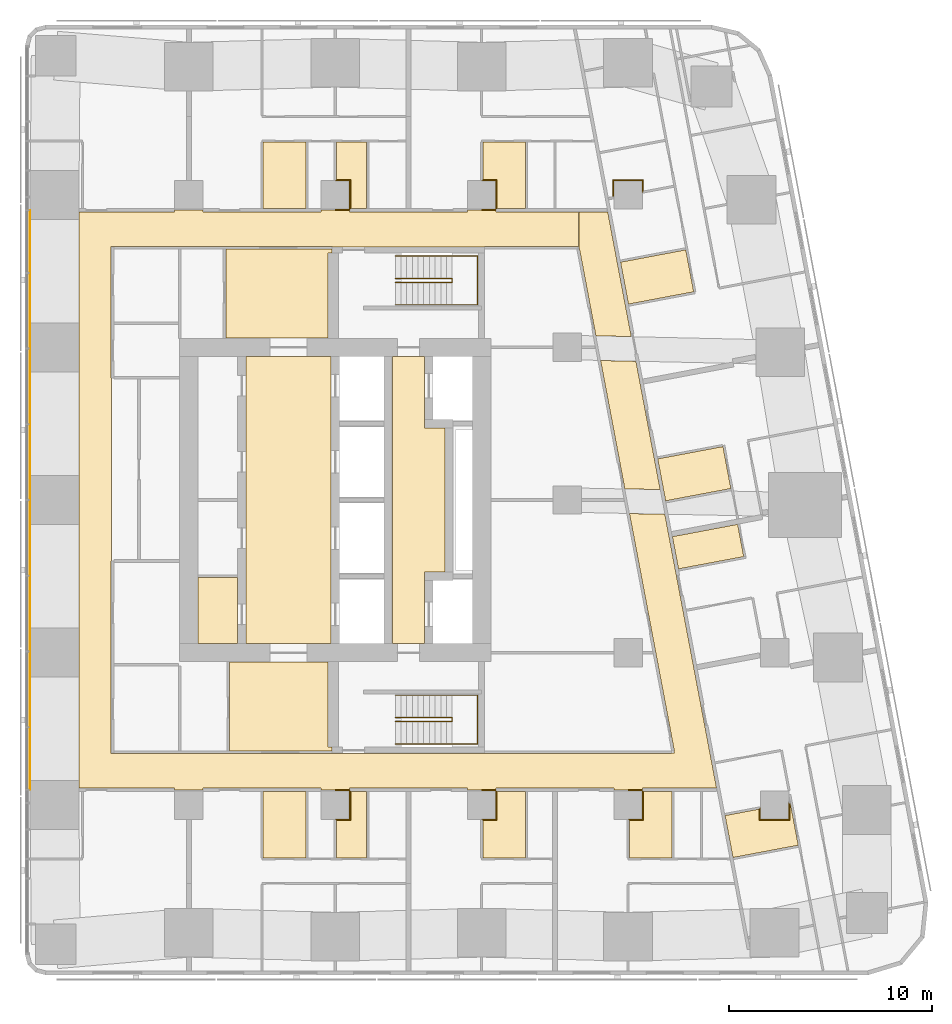
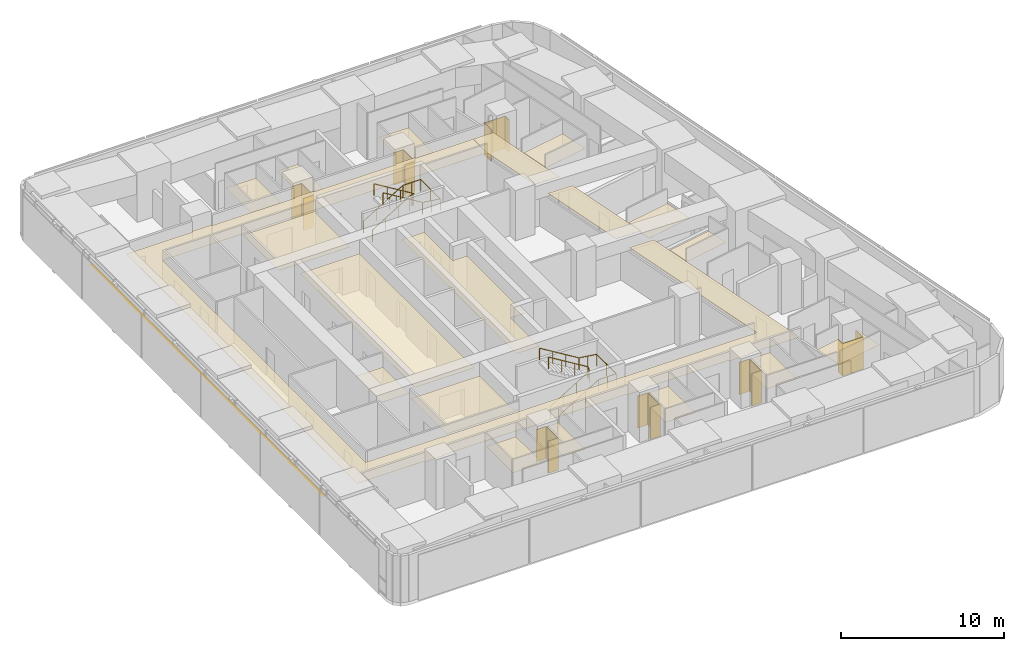
# One storey, part 19 of 19: 27 coverings, 4 railings.
"""IFC4 building model written with IfcOpenShell, lengths in metres."""

import ifcopenshell
import ifcopenshell.guid

model = None  # the IFC model being written
_history = None  # IfcOwnerHistory: only IFC2X3 demands one
_inside = {}  # id of a spatial element -> (the spatial element, [elements in it])
_under = {}  # id of a project, library or spatial element -> (it, [spatial elements below it])
_declared = {}  # id of a project -> (the project, [libraries it declares])
_typed = {}  # id of a type object -> (the type object, [elements of that type])
_made_of = {}  # id of a material, layer set ... -> (it, [elements and type objects made of it])


def new_model(schema):
    """Start an empty IFC model of exactly this schema.

    Asked for "IFC4X3", IfcOpenShell would pick the latest addendum, in which some entities
    have other attributes; the version numbers below select the first issue.
    IFC2X3 requires an IfcOwnerHistory on every rooted entity: one is made here for all.
    """
    global model, _history
    if schema == "IFC4X3":
        model = ifcopenshell.file(schema_version=(4, 3, 0, 0))
    else:
        model = ifcopenshell.file(schema=schema)
    _inside.clear()
    _under.clear()
    _declared.clear()
    _typed.clear()
    _made_of.clear()
    _history = None
    if model.schema == "IFC2X3":
        org = make("IfcOrganization", Name="unknown")
        user = make(
            "IfcPersonAndOrganization",
            ThePerson=make("IfcPerson", FamilyName="unknown"),
            TheOrganization=org,
        )
        app = make(
            "IfcApplication",
            ApplicationDeveloper=org,
            Version="unknown",
            ApplicationFullName="unknown",
            ApplicationIdentifier="unknown",
        )
        _history = make(
            "IfcOwnerHistory",
            OwningUser=user,
            OwningApplication=app,
            ChangeAction="ADDED",
            CreationDate=0,
        )
    return model


def make(cls, **values):
    """One entity of the class cls with the attributes given. An attribute that is None is left unset."""
    return model.create_entity(
        cls, **{name: value for name, value in values.items() if value is not None}
    )


def rooted(cls, **values):
    """An entity with a GlobalId (a new one), such as an element, a storey or a relation."""
    return make(cls, GlobalId=ifcopenshell.guid.new(), OwnerHistory=_history, **values)


def si_unit(unit_type, name, prefix=None):
    """IfcSIUnit, for example si_unit("LENGTHUNIT", "METRE", prefix="MILLI")."""
    return make("IfcSIUnit", UnitType=unit_type, Prefix=prefix, Name=name)


def assignment(units):
    """IfcUnitAssignment: the units of a project."""
    return None if units is None else make("IfcUnitAssignment", Units=units)


def point(xyz):
    """IfcCartesianPoint."""
    return None if xyz is None else make("IfcCartesianPoint", Coordinates=xyz)


def direction(xyz):
    """IfcDirection."""
    return None if xyz is None else make("IfcDirection", DirectionRatios=xyz)


def frame(location, z_axis=None, x_axis=None):
    """IfcAxis2Placement3D, a coordinate frame: its origin and axes. An axis left out is left unset."""
    return make(
        "IfcAxis2Placement3D",
        Location=point(location),
        Axis=direction(z_axis),
        RefDirection=direction(x_axis),
    )


def frame_2d(location, x_axis=None):
    """IfcAxis2Placement2D, a coordinate frame in the plane: its origin and x axis."""
    return make(
        "IfcAxis2Placement2D", Location=point(location), RefDirection=direction(x_axis)
    )


def origin():
    """The frame at (0, 0, 0) with its axes left unset."""
    return frame((0.0, 0.0, 0.0))


def origin_2d():
    """The frame at (0, 0) in the plane with its x axis left unset."""
    return frame_2d((0.0, 0.0))


def place(relative_to, where):
    """IfcLocalPlacement: puts the frame where relative to a parent placement (None: the world)."""
    return make(
        "IfcLocalPlacement", PlacementRelTo=relative_to, RelativePlacement=where
    )


def context(
    kind, dimensions, precision=None, world=None, true_north=None, identifier=None
):
    """IfcGeometricRepresentationContext, for example the 3D "Model" context."""
    return make(
        "IfcGeometricRepresentationContext",
        ContextIdentifier=identifier,
        ContextType=kind,
        CoordinateSpaceDimension=dimensions,
        Precision=precision,
        WorldCoordinateSystem=world,
        TrueNorth=true_north,
    )


def subcontext(parent, identifier, kind, view, scale=None):
    """IfcGeometricRepresentationSubContext, for example "Body" below "Model"."""
    return make(
        "IfcGeometricRepresentationSubContext",
        ContextIdentifier=identifier,
        ContextType=kind,
        ParentContext=parent,
        TargetScale=scale,
        TargetView=view,
    )


def project(units=None, contexts=None):
    """IfcProject with its units and contexts."""
    return rooted(
        "IfcProject",
        Name="project",
        RepresentationContexts=contexts,
        UnitsInContext=assignment(units),
    )


def spatial(cls, under=None, at=None, **own):
    """A site, building, storey or space (cls), placed at a placement, below another one or the project."""
    s = rooted(cls, ObjectPlacement=at, **own)
    if under is not None:
        _under.setdefault(under.id(), (under, []))[1].append(s)
    return s


def polyline(points):
    """IfcPolyline through the points."""
    return make("IfcPolyline", Points=[point(p) for p in points])


def profile(cls, at=None, kind="AREA", **sizes):
    """A parametric profile (cls). Its sizes go by their IFC names, for example OverallWidth=200.0."""
    return make(cls, ProfileType=kind, Position=at, **sizes)


def circle(**sizes):
    """IfcCircleProfileDef."""
    return profile("IfcCircleProfileDef", **sizes)


def outline(outer, holes=None, kind="AREA"):
    """IfcArbitraryClosedProfileDef: a profile drawn as a closed curve; with holes, ...WithVoids."""
    if holes is None:
        return make("IfcArbitraryClosedProfileDef", ProfileType=kind, OuterCurve=outer)
    return make(
        "IfcArbitraryProfileDefWithVoids",
        ProfileType=kind,
        OuterCurve=outer,
        InnerCurves=holes,
    )


def extrude(swept, where, along, depth):
    """IfcExtrudedAreaSolid: the profile swept, set in the frame where, extruded along a direction by depth."""
    return make(
        "IfcExtrudedAreaSolid",
        SweptArea=swept,
        Position=where,
        ExtrudedDirection=direction(along),
        Depth=depth,
    )


def shape(context_of_items, identifier, shape_type, items):
    """IfcShapeRepresentation: the items that make up one representation, for example the "Body"."""
    return make(
        "IfcShapeRepresentation",
        ContextOfItems=context_of_items,
        RepresentationIdentifier=identifier,
        RepresentationType=shape_type,
        Items=items,
    )


def material(Name=None, Category=None):
    """IfcMaterial."""
    return make("IfcMaterial", Name=Name, Category=Category)


def layer(
    of_material, thickness, ventilated=None, Name=None, Category=None, Priority=None
):
    """IfcMaterialLayer: one layer of a wall or slab, of a material (None: an air gap)."""
    return make(
        "IfcMaterialLayer",
        Material=of_material,
        LayerThickness=thickness,
        IsVentilated=ventilated,
        Name=Name,
        Category=Category,
        Priority=Priority,
    )


def layer_set(layers, Name=None):
    """IfcMaterialLayerSet."""
    return make("IfcMaterialLayerSet", MaterialLayers=layers, LayerSetName=Name)


def made_of(thing, what):
    """Note that an element or type object is made of a material, layer set ...; save() writes the relation."""
    if what is not None:
        _made_of.setdefault(what.id(), (what, []))[1].append(thing)
    return thing


def type_object(cls, material=None, **own):
    """A type object (cls), such as IfcWallType, which elements share."""
    return made_of(rooted(cls, **own), material)


def element(
    cls,
    number,
    at=None,
    inside=None,
    cuts=None,
    type_object=None,
    material=None,
    context=None,
    identifier="Body",
    shape_type=None,
    held_by="IfcProductDefinitionShape",
    body=None,
    shapes=None,
    **own,
):
    """One element of the class cls, such as IfcWall. Its Tag is "e" and its number.

    at: its placement. inside: the storey or other place that contains it. cuts: it is an
    opening in that element (IfcRelVoidsElement). A single representation is given by context,
    identifier, shape_type and body (its items); several are given by shapes. held_by: the class
    of the entity that holds the representations. save() writes the other relations.
    """
    e = rooted(cls, Tag="e%d" % number, ObjectPlacement=at, **own)
    if body is not None:
        shapes = [shape(context, identifier, shape_type, body)]
    if shapes is not None:
        e.Representation = make(held_by, Representations=shapes)
    if inside is not None:
        _inside.setdefault(inside.id(), (inside, []))[1].append(e)
    if cuts is not None:
        rooted(
            "IfcRelVoidsElement", RelatingBuildingElement=cuts, RelatedOpeningElement=e
        )
    if type_object is not None:
        _typed.setdefault(type_object.id(), (type_object, []))[1].append(e)
    return made_of(e, material)


def aggregate(whole, parts):
    """IfcRelAggregates: a whole, such as a stair, and the parts it consists of."""
    return rooted("IfcRelAggregates", RelatingObject=whole, RelatedObjects=parts)


def save(model, path):
    """Write the relations noted so far, then the file.

    IfcRelAggregates (storeys below a building ...), IfcRelContainedInSpatialStructure (elements
    in a storey), IfcRelDefinesByType, IfcRelAssociatesMaterial and IfcRelDeclares: one each for
    every whole, place, type object, material and project.
    """
    for whole, parts in _under.values():
        aggregate(whole, parts)
    for where, things in _inside.values():
        rooted(
            "IfcRelContainedInSpatialStructure",
            RelatedElements=things,
            RelatingStructure=where,
        )
    for kind, things in _typed.values():
        rooted("IfcRelDefinesByType", RelatedObjects=things, RelatingType=kind)
    for what, things in _made_of.values():
        rooted("IfcRelAssociatesMaterial", RelatedObjects=things, RelatingMaterial=what)
    for by, libraries in _declared.values():
        rooted("IfcRelDeclares", RelatingContext=by, RelatedDefinitions=libraries)
    model.write(path)


model = new_model("IFC4")

# Units and contexts
model_context = context("Model", 3, precision=1e-05, world=origin(), true_north=direction((0.0, 1.0)))
body_context = subcontext(model_context, "Body", "Model", "MODEL_VIEW")
ifc_project = project(units=[si_unit("LENGTHUNIT", "METRE"), si_unit("AREAUNIT", "SQUARE_METRE"), si_unit("VOLUMEUNIT", "CUBIC_METRE"), si_unit("PLANEANGLEUNIT", "RADIAN"), si_unit("MASSUNIT", "GRAM", prefix="KILO")], contexts=[model_context])

# Site, building, storey
site_placement = place(None, origin())
site = spatial("IfcSite", under=ifc_project, at=site_placement, CompositionType="ELEMENT")
building_placement = place(site_placement, origin())
building = spatial("IfcBuilding", under=site, at=building_placement, Name="Sheger Commons Tower", CompositionType="ELEMENT")
storey_placement = place(building_placement, frame((0.0, 0.0, 219.949951171875)))
storey = spatial("IfcBuildingStorey", under=building, at=storey_placement, Name="L56", CompositionType="ELEMENT", Elevation=219.949951171875)

# Railings
ifc_material_1 = material(Name="Steel handrail, black powder-coated", Category="steel")
railing_type = type_object("IfcRailingType", Name="HANDRAIL 900", PredefinedType="HANDRAIL", material=ifc_material_1)
railing_1_placement = place(storey_placement, frame((24.550048828125, 11.60009765625, 0.17041015625)))
element("IfcRailing", 1, at=railing_1_placement, inside=storey, type_object=railing_type, Name="Stair S1 handrail L56", PredefinedType="HANDRAIL", context=body_context, shape_type="SweptSolid", body=[
    extrude(circle(Radius=0.02392578125, at=origin_2d()), frame((0.0, 0.0, 0.8759765625), z_axis=(0.854169791009, 0.0, 0.51999420009), x_axis=(0.0, 1.0, 0.0)), (0.0, 0.0, 1.0), 3.278076171875),
    extrude(circle(Radius=0.02392578125, at=origin_2d()), frame((2.800048828125, 0.0, 2.58056640625), z_axis=(0.0, 0.761090297175, 0.648645943136), x_axis=(-1.0, 0.0, 0.0)), (0.0, 0.0, 1.0), 0.2626953125),
    extrude(circle(Radius=0.02392578125, at=origin_2d()), frame((2.800048828125, 0.199951171875, 2.7509765625), z_axis=(-0.854169791009, 0.0, 0.51999420009), x_axis=(0.0, -1.0, 0.0)), (0.0, 0.0, 1.0), 3.278076171875),
    extrude(circle(Radius=0.02099609375, at=origin_2d()), origin(), (0.0, 0.0, 1.0), 0.851806640625),
    extrude(circle(Radius=0.02099609375, at=origin_2d()), frame((0.933349609375, 0.0, 0.568115234375)), (0.0, 0.0, 1.0), 0.851806640625),
    extrude(circle(Radius=0.02099609375, at=origin_2d()), frame((1.86669921875, 0.0, 1.136474609375)), (0.0, 0.0, 1.0), 0.851806640625),
    extrude(circle(Radius=0.02099609375, at=origin_2d()), frame((2.800048828125, 0.0, 1.70458984375)), (0.0, 0.0, 1.0), 0.851806640625),
    extrude(circle(Radius=0.02099609375, at=origin_2d()), frame((2.800048828125, 0.199951171875, 1.875)), (0.0, 0.0, 1.0), 0.851806640625),
    extrude(circle(Radius=0.02099609375, at=origin_2d()), frame((1.86669921875, 0.199951171875, 2.443115234375)), (0.0, 0.0, 1.0), 0.851806640625),
    extrude(circle(Radius=0.02099609375, at=origin_2d()), frame((0.933349609375, 0.199951171875, 3.011474609375)), (0.0, 0.0, 1.0), 0.851806640625),
    extrude(circle(Radius=0.02099609375, at=origin_2d()), frame((0.0, 0.199951171875, 3.57958984375)), (0.0, 0.0, 1.0), 0.851806640625),
])
railing_2_placement = place(storey_placement, frame((24.550048828125, 10.5, 0.17041015625)))
element("IfcRailing", 2, at=railing_2_placement, inside=storey, type_object=railing_type, Name="Stair S1 handrail L56", PredefinedType="HANDRAIL", context=body_context, shape_type="SweptSolid", body=[
    extrude(circle(Radius=0.02392578125, at=origin_2d()), frame((0.0, 0.0, 0.8759765625), z_axis=(0.854169791009, 0.0, 0.51999420009), x_axis=(0.0, 1.0, 0.0)), (0.0, 0.0, 1.0), 3.278076171875),
    extrude(circle(Radius=0.02392578125, at=origin_2d()), frame((2.800048828125, 0.0, 2.58056640625), z_axis=(1.0, 0.0, 0.0), x_axis=(0.0, 1.0, 0.0)), (0.0, 0.0, 1.0), 1.25),
    extrude(circle(Radius=0.02392578125, at=origin_2d()), frame((4.050048828125, 0.0, 2.58056640625), z_axis=(0.0, 1.0, 0.0), x_axis=(-1.0, 0.0, 0.0)), (0.0, 0.0, 1.0), 2.39990234375),
    extrude(circle(Radius=0.02392578125, at=origin_2d()), frame((4.050048828125, 2.39990234375, 2.58056640625), z_axis=(-0.990834877927, 0.0, 0.135078661092), x_axis=(0.0, -1.0, 0.0)), (0.0, 0.0, 1.0), 1.261474609375),
    extrude(circle(Radius=0.02392578125, at=origin_2d()), frame((2.800048828125, 2.39990234375, 2.7509765625), z_axis=(-0.854169791009, 0.0, 0.51999420009), x_axis=(0.0, -1.0, 0.0)), (0.0, 0.0, 1.0), 3.278076171875),
    extrude(circle(Radius=0.02099609375, at=origin_2d()), origin(), (0.0, 0.0, 1.0), 0.851806640625),
    extrude(circle(Radius=0.02099609375, at=origin_2d()), frame((0.933349609375, 0.0, 0.568115234375)), (0.0, 0.0, 1.0), 0.851806640625),
    extrude(circle(Radius=0.02099609375, at=origin_2d()), frame((1.86669921875, 0.0, 1.136474609375)), (0.0, 0.0, 1.0), 0.851806640625),
    extrude(circle(Radius=0.02099609375, at=origin_2d()), frame((2.800048828125, 0.0, 1.70458984375)), (0.0, 0.0, 1.0), 0.851806640625),
    extrude(circle(Radius=0.02099609375, at=origin_2d()), frame((3.425048828125, 0.0, 1.70458984375)), (0.0, 0.0, 1.0), 0.851806640625),
    extrude(circle(Radius=0.02099609375, at=origin_2d()), frame((4.050048828125, 0.0, 1.70458984375)), (0.0, 0.0, 1.0), 0.851806640625),
    extrude(circle(Radius=0.02099609375, at=origin_2d()), frame((4.050048828125, 1.199951171875, 1.70458984375)), (0.0, 0.0, 1.0), 0.851806640625),
    extrude(circle(Radius=0.02099609375, at=origin_2d()), frame((4.050048828125, 2.39990234375, 1.70458984375)), (0.0, 0.0, 1.0), 0.851806640625),
    extrude(circle(Radius=0.02099609375, at=origin_2d()), frame((3.425048828125, 2.39990234375, 1.789794921875)), (0.0, 0.0, 1.0), 0.851806640625),
    extrude(circle(Radius=0.02099609375, at=origin_2d()), frame((2.800048828125, 2.39990234375, 1.875)), (0.0, 0.0, 1.0), 0.851806640625),
    extrude(circle(Radius=0.02099609375, at=origin_2d()), frame((1.86669921875, 2.39990234375, 2.443115234375)), (0.0, 0.0, 1.0), 0.851806640625),
    extrude(circle(Radius=0.02099609375, at=origin_2d()), frame((0.933349609375, 2.39990234375, 3.011474609375)), (0.0, 0.0, 1.0), 0.851806640625),
    extrude(circle(Radius=0.02099609375, at=origin_2d()), frame((0.0, 2.39990234375, 3.57958984375)), (0.0, 0.0, 1.0), 0.851806640625),
])
railing_3_placement = place(storey_placement, frame((24.550048828125, 33.39990234375, 0.17041015625)))
element("IfcRailing", 3, at=railing_3_placement, inside=storey, type_object=railing_type, Name="Stair S2 handrail L56", PredefinedType="HANDRAIL", context=body_context, shape_type="SweptSolid", body=[
    extrude(circle(Radius=0.02392578125, at=origin_2d()), frame((0.0, 0.0, 0.8759765625), z_axis=(0.854169791009, 0.0, 0.51999420009), x_axis=(0.0, 1.0, 0.0)), (0.0, 0.0, 1.0), 3.278076171875),
    extrude(circle(Radius=0.02392578125, at=origin_2d()), frame((2.800048828125, 0.0, 2.58056640625), z_axis=(0.0, -0.761090297175, 0.648645943136), x_axis=(1.0, 0.0, 0.0)), (0.0, 0.0, 1.0), 0.2626953125),
    extrude(circle(Radius=0.02392578125, at=origin_2d()), frame((2.800048828125, -0.199951171875, 2.7509765625), z_axis=(-0.854169791009, 0.0, 0.51999420009), x_axis=(0.0, -1.0, 0.0)), (0.0, 0.0, 1.0), 3.278076171875),
    extrude(circle(Radius=0.02099609375, at=origin_2d()), origin(), (0.0, 0.0, 1.0), 0.851806640625),
    extrude(circle(Radius=0.02099609375, at=origin_2d()), frame((0.933349609375, 0.0, 0.568115234375)), (0.0, 0.0, 1.0), 0.851806640625),
    extrude(circle(Radius=0.02099609375, at=origin_2d()), frame((1.86669921875, 0.0, 1.136474609375)), (0.0, 0.0, 1.0), 0.851806640625),
    extrude(circle(Radius=0.02099609375, at=origin_2d()), frame((2.800048828125, 0.0, 1.70458984375)), (0.0, 0.0, 1.0), 0.851806640625),
    extrude(circle(Radius=0.02099609375, at=origin_2d()), frame((2.800048828125, -0.199951171875, 1.875)), (0.0, 0.0, 1.0), 0.851806640625),
    extrude(circle(Radius=0.02099609375, at=origin_2d()), frame((1.86669921875, -0.199951171875, 2.443115234375)), (0.0, 0.0, 1.0), 0.851806640625),
    extrude(circle(Radius=0.02099609375, at=origin_2d()), frame((0.933349609375, -0.199951171875, 3.011474609375)), (0.0, 0.0, 1.0), 0.851806640625),
    extrude(circle(Radius=0.02099609375, at=origin_2d()), frame((0.0, -0.199951171875, 3.57958984375)), (0.0, 0.0, 1.0), 0.851806640625),
])
railing_4_placement = place(storey_placement, frame((24.550048828125, 34.5, 0.17041015625)))
element("IfcRailing", 4, at=railing_4_placement, inside=storey, type_object=railing_type, Name="Stair S2 handrail L56", PredefinedType="HANDRAIL", context=body_context, shape_type="SweptSolid", body=[
    extrude(circle(Radius=0.02392578125, at=origin_2d()), frame((0.0, 0.0, 0.8759765625), z_axis=(0.854169791009, 0.0, 0.51999420009), x_axis=(0.0, 1.0, 0.0)), (0.0, 0.0, 1.0), 3.278076171875),
    extrude(circle(Radius=0.02392578125, at=origin_2d()), frame((2.800048828125, 0.0, 2.58056640625), z_axis=(1.0, 0.0, 0.0), x_axis=(0.0, 1.0, 0.0)), (0.0, 0.0, 1.0), 1.25),
    extrude(circle(Radius=0.02392578125, at=origin_2d()), frame((4.050048828125, 0.0, 2.58056640625), z_axis=(0.0, -1.0, 0.0), x_axis=(1.0, 0.0, 0.0)), (0.0, 0.0, 1.0), 2.39990234375),
    extrude(circle(Radius=0.02392578125, at=origin_2d()), frame((4.050048828125, -2.39990234375, 2.58056640625), z_axis=(-0.990834877927, 0.0, 0.135078661092), x_axis=(0.0, -1.0, 0.0)), (0.0, 0.0, 1.0), 1.261474609375),
    extrude(circle(Radius=0.02392578125, at=origin_2d()), frame((2.800048828125, -2.39990234375, 2.7509765625), z_axis=(-0.854169791009, 0.0, 0.51999420009), x_axis=(0.0, -1.0, 0.0)), (0.0, 0.0, 1.0), 3.278076171875),
    extrude(circle(Radius=0.02099609375, at=origin_2d()), origin(), (0.0, 0.0, 1.0), 0.851806640625),
    extrude(circle(Radius=0.02099609375, at=origin_2d()), frame((0.933349609375, 0.0, 0.568115234375)), (0.0, 0.0, 1.0), 0.851806640625),
    extrude(circle(Radius=0.02099609375, at=origin_2d()), frame((1.86669921875, 0.0, 1.136474609375)), (0.0, 0.0, 1.0), 0.851806640625),
    extrude(circle(Radius=0.02099609375, at=origin_2d()), frame((2.800048828125, 0.0, 1.70458984375)), (0.0, 0.0, 1.0), 0.851806640625),
    extrude(circle(Radius=0.02099609375, at=origin_2d()), frame((3.425048828125, 0.0, 1.70458984375)), (0.0, 0.0, 1.0), 0.851806640625),
    extrude(circle(Radius=0.02099609375, at=origin_2d()), frame((4.050048828125, 0.0, 1.70458984375)), (0.0, 0.0, 1.0), 0.851806640625),
    extrude(circle(Radius=0.02099609375, at=origin_2d()), frame((4.050048828125, -1.199951171875, 1.70458984375)), (0.0, 0.0, 1.0), 0.851806640625),
    extrude(circle(Radius=0.02099609375, at=origin_2d()), frame((4.050048828125, -2.39990234375, 1.70458984375)), (0.0, 0.0, 1.0), 0.851806640625),
    extrude(circle(Radius=0.02099609375, at=origin_2d()), frame((3.425048828125, -2.39990234375, 1.789794921875)), (0.0, 0.0, 1.0), 0.851806640625),
    extrude(circle(Radius=0.02099609375, at=origin_2d()), frame((2.800048828125, -2.39990234375, 1.875)), (0.0, 0.0, 1.0), 0.851806640625),
    extrude(circle(Radius=0.02099609375, at=origin_2d()), frame((1.86669921875, -2.39990234375, 2.443115234375)), (0.0, 0.0, 1.0), 0.851806640625),
    extrude(circle(Radius=0.02099609375, at=origin_2d()), frame((0.933349609375, -2.39990234375, 3.011474609375)), (0.0, 0.0, 1.0), 0.851806640625),
    extrude(circle(Radius=0.02099609375, at=origin_2d()), frame((0.0, -2.39990234375, 3.57958984375)), (0.0, 0.0, 1.0), 0.851806640625),
])

# Coverings
ifc_material_2 = material(Name="Moisture-resistant gypsum plasterboard 15 mm on a suspended galvanised steel grid", Category="steel")
ifc_layer_1 = layer(ifc_material_2, 0.014892578125)
ifc_layer_set_1 = layer_set([ifc_layer_1], Name="MOISTURE-RESISTANT CEILING 15")
covering_type_1 = type_object("IfcCoveringType", Name="MOISTURE-RESISTANT CEILING 15", PredefinedType="CEILING", material=ifc_layer_set_1)
covering_1_placement = place(storey_placement, frame((0.0, 0.0, 2.400146484375)))
element("IfcCovering", 5, at=covering_1_placement, inside=storey, type_object=covering_type_1, Name="L56-02.B1 ceiling", PredefinedType="CEILING", context=body_context, shape_type="SweptSolid", body=[
    extrude(outline(polyline([(18.054931640625, 4.905029296875), (20.155029296875, 4.905029296875), (20.155029296875, 8.169921875), (18.054931640625, 8.169921875), (18.054931640625, 4.905029296875)])), origin(), (0.0, 0.0, 1.0), 0.014892578125),
])
covering_2_placement = place(storey_placement, frame((0.0, 0.0, 2.400146484375)))
element("IfcCovering", 6, at=covering_2_placement, inside=storey, type_object=covering_type_1, Name="L56-02.B2 ceiling", PredefinedType="CEILING", context=body_context, shape_type="SweptSolid", body=[
    extrude(outline(polyline([(21.655029296875, 4.905029296875), (23.14501953125, 4.905029296875), (23.14501953125, 8.169921875), (22.304931640625, 8.169921875), (22.304931640625, 6.794921875), (21.655029296875, 6.794921875), (21.655029296875, 4.905029296875)])), origin(), (0.0, 0.0, 1.0), 0.014892578125),
])
covering_3_placement = place(storey_placement, frame((0.0, 0.0, 2.400146484375)))
element("IfcCovering", 7, at=covering_3_placement, inside=storey, type_object=covering_type_1, Name="L56-03.B1 ceiling", PredefinedType="CEILING", context=body_context, shape_type="SweptSolid", body=[
    extrude(outline(polyline([(28.85498046875, 4.905029296875), (30.955078125, 4.905029296875), (30.955078125, 8.169921875), (29.5048828125, 8.169921875), (29.5048828125, 6.794921875), (28.85498046875, 6.794921875), (28.85498046875, 4.905029296875)])), origin(), (0.0, 0.0, 1.0), 0.014892578125),
])
covering_4_placement = place(storey_placement, frame((0.0, 0.0, 2.400146484375)))
element("IfcCovering", 8, at=covering_4_placement, inside=storey, type_object=covering_type_1, Name="L56-04.B1 ceiling", PredefinedType="CEILING", context=body_context, shape_type="SweptSolid", body=[
    extrude(outline(polyline([(36.054931640625, 4.905029296875), (38.155029296875, 4.905029296875), (38.155029296875, 8.169921875), (36.705078125, 8.169921875), (36.705078125, 6.794921875), (36.054931640625, 6.794921875), (36.054931640625, 4.905029296875)])), origin(), (0.0, 0.0, 1.0), 0.014892578125),
])
covering_5_placement = place(storey_placement, frame((0.0, 0.0, 2.400146484375)))
element("IfcCovering", 9, at=covering_5_placement, inside=storey, type_object=covering_type_1, Name="L56-05.B1 ceiling", PredefinedType="CEILING", context=body_context, shape_type="SweptSolid", body=[
    extrude(outline(polyline([(36.01708984375, 32.1298828125), (39.22412109375, 32.736083984375), (38.833984375, 34.800048828125), (35.626953125, 34.194091796875), (36.01708984375, 32.1298828125)])), origin(), (0.0, 0.0, 1.0), 0.014892578125),
])
covering_6_placement = place(storey_placement, frame((0.0, 0.0, 2.400146484375)))
element("IfcCovering", 10, at=covering_6_placement, inside=storey, type_object=covering_type_1, Name="L56-06.B1 ceiling", PredefinedType="CEILING", context=body_context, shape_type="SweptSolid", body=[
    extrude(outline(polyline([(37.843017578125, 22.4580078125), (41.052001953125, 23.06396484375), (40.662109375, 25.1279296875), (37.4541015625, 24.52197265625), (37.843017578125, 22.4580078125)])), origin(), (0.0, 0.0, 1.0), 0.014892578125),
])
covering_7_placement = place(storey_placement, frame((0.0, 0.0, 2.400146484375)))
element("IfcCovering", 11, at=covering_7_placement, inside=storey, type_object=covering_type_1, Name="L56-07.B1 ceiling", PredefinedType="CEILING", context=body_context, shape_type="SweptSolid", body=[
    extrude(outline(polyline([(38.47607421875, 19.111083984375), (41.68408203125, 19.716064453125), (41.384033203125, 21.303955078125), (38.176025390625, 20.697998046875), (38.47607421875, 19.111083984375)])), origin(), (0.0, 0.0, 1.0), 0.014892578125),
])
covering_8_placement = place(storey_placement, frame((0.0, 0.0, 2.400146484375)))
element("IfcCovering", 12, at=covering_8_placement, inside=storey, type_object=covering_type_1, Name="L56-08.B1 ceiling", PredefinedType="CEILING", context=body_context, shape_type="SweptSolid", body=[
    extrude(outline(polyline([(41.156005859375, 4.9208984375), (44.364013671875, 5.527099609375), (43.97412109375, 7.591064453125), (43.9150390625, 7.580078125), (43.906982421875, 7.623046875), (43.905029296875, 7.623046875), (43.905029296875, 6.794921875), (42.4951171875, 6.794921875), (42.4951171875, 7.31201171875), (40.76611328125, 6.985107421875), (41.156005859375, 4.9208984375)])), origin(), (0.0, 0.0, 1.0), 0.014892578125),
])
covering_9_placement = place(storey_placement, frame((0.0, 0.0, 2.400146484375)))
element("IfcCovering", 13, at=covering_9_placement, inside=storey, type_object=covering_type_1, Name="L56-10.B1 ceiling", PredefinedType="CEILING", context=body_context, shape_type="SweptSolid", body=[
    extrude(outline(polyline([(18.054931640625, 36.830078125), (20.155029296875, 36.830078125), (20.155029296875, 40.094970703125), (18.054931640625, 40.094970703125), (18.054931640625, 36.830078125)])), origin(), (0.0, 0.0, 1.0), 0.014892578125),
])
covering_10_placement = place(storey_placement, frame((0.0, 0.0, 2.400146484375)))
element("IfcCovering", 14, at=covering_10_placement, inside=storey, type_object=covering_type_1, Name="L56-10.B2 ceiling", PredefinedType="CEILING", context=body_context, shape_type="SweptSolid", body=[
    extrude(outline(polyline([(22.304931640625, 36.830078125), (23.14501953125, 36.830078125), (23.14501953125, 40.094970703125), (21.655029296875, 40.094970703125), (21.655029296875, 38.205078125), (22.304931640625, 38.205078125), (22.304931640625, 36.830078125)])), origin(), (0.0, 0.0, 1.0), 0.014892578125),
])
covering_11_placement = place(storey_placement, frame((0.0, 0.0, 2.400146484375)))
element("IfcCovering", 15, at=covering_11_placement, inside=storey, type_object=covering_type_1, Name="L56-11.B1 ceiling", PredefinedType="CEILING", context=body_context, shape_type="SweptSolid", body=[
    extrude(outline(polyline([(29.5048828125, 36.830078125), (30.955078125, 36.830078125), (30.955078125, 40.094970703125), (28.85498046875, 40.094970703125), (28.85498046875, 38.205078125), (29.5048828125, 38.205078125), (29.5048828125, 36.830078125)])), origin(), (0.0, 0.0, 1.0), 0.014892578125),
])
covering_12_placement = place(storey_placement, frame((0.0, 0.0, 2.400146484375)))
element("IfcCovering", 16, at=covering_12_placement, inside=storey, type_object=covering_type_1, Name="L56-CRB1 ceiling", PredefinedType="CEILING", context=body_context, shape_type="SweptSolid", body=[
    extrude(outline(polyline([(14.85498046875, 15.455078125), (16.794921875, 15.455078125), (16.794921875, 18.68310546875), (14.85498046875, 18.68310546875), (14.85498046875, 15.455078125)])), origin(), (0.0, 0.0, 1.0), 0.014892578125),
])
ifc_material_3 = material(Name="Gypsum plasterboard 15 mm on a suspended steel grid", Category="steel")
ifc_layer_2 = layer(ifc_material_3, 0.014892578125)
ifc_layer_set_2 = layer_set([ifc_layer_2], Name="SUSPENDED CEILING 15")
covering_type_2 = type_object("IfcCoveringType", Name="SUSPENDED CEILING 15", PredefinedType="CEILING", material=ifc_layer_set_2)
covering_13_placement = place(storey_placement, frame((0.0, 0.0, 2.699951171875)))
element("IfcCovering", 17, at=covering_13_placement, inside=storey, type_object=covering_type_2, Name="L56-CO ceiling", PredefinedType="CEILING", context=body_context, shape_type="SweptSolid", body=[
    extrude(outline(polyline([(6.554931640625, 8.25), (6.594970703125, 8.25), (6.594970703125, 36.75), (6.554931640625, 36.75), (6.554931640625, 8.25)])), origin(), (0.0, 0.0, 1.0), 0.01513671875),
])
covering_14_placement = place(storey_placement, frame((0.0, 0.0, 2.699951171875)))
element("IfcCovering", 18, at=covering_14_placement, inside=storey, type_object=covering_type_2, Name="L56-CO ceiling", PredefinedType="CEILING", context=body_context, shape_type="SweptSolid", body=[
    extrude(outline(polyline([(13.7041015625, 8.25), (15.095947265625, 8.25), (15.095947265625, 8.330078125), (20.904052734375, 8.330078125), (20.904052734375, 8.25), (22.2958984375, 8.25), (22.2958984375, 8.330078125), (28.10400390625, 8.330078125), (28.10400390625, 8.25), (29.49609375, 8.25), (29.49609375, 8.330078125), (35.303955078125, 8.330078125), (35.303955078125, 8.25), (36.696044921875, 8.25), (36.696044921875, 8.330078125), (40.34912109375, 8.330078125), (37.804931640625, 21.798095703125), (36.06591796875, 21.8330078125), (38.26904296875, 10.1708984375), (38.251953125, 10.1669921875), (38.27392578125, 10.050048828125), (38.14306640625, 10.050048828125), (38.14306640625, 10.031982421875), (28.945068359375, 10.031982421875), (28.945068359375, 10.044921875), (21.455078125, 10.044921875), (21.455078125, 10.031982421875), (10.7080078125, 10.031982421875), (10.7080078125, 10.044921875), (10.58203125, 10.044921875), (10.58203125, 19.5048828125), (10.60009765625, 19.5048828125), (10.60009765625, 28.4951171875), (10.58203125, 28.4951171875), (10.58203125, 34.955078125), (10.7080078125, 34.955078125), (10.7080078125, 34.968017578125), (21.455078125, 34.968017578125), (21.455078125, 34.949951171875), (28.945068359375, 34.949951171875), (28.945068359375, 34.968017578125), (33.54296875, 34.968017578125), (33.54296875, 34.949951171875), (33.568115234375, 34.949951171875), (33.568115234375, 36.669921875), (29.49609375, 36.669921875), (29.49609375, 36.75), (28.10400390625, 36.75), (28.10400390625, 36.669921875), (22.2958984375, 36.669921875), (22.2958984375, 36.75), (20.904052734375, 36.75), (20.904052734375, 36.669921875), (15.095947265625, 36.669921875), (15.095947265625, 36.75), (13.7041015625, 36.75), (13.7041015625, 36.669921875), (9.0048828125, 36.669921875), (9.0048828125, 8.330078125), (13.7041015625, 8.330078125), (13.7041015625, 8.25)])), origin(), (0.0, 0.0, 1.0), 0.01513671875),
])
covering_15_placement = place(storey_placement, frame((0.0, 0.0, 2.699951171875)))
element("IfcCovering", 19, at=covering_15_placement, inside=storey, type_object=covering_type_2, Name="L56-CO ceiling", PredefinedType="CEILING", context=body_context, shape_type="SweptSolid", body=[
    extrude(outline(polyline([(37.575927734375, 23.011962890625), (36.385009765625, 29.318115234375), (34.64501953125, 29.35791015625), (35.8369140625, 23.048095703125), (37.575927734375, 23.011962890625)])), origin(), (0.0, 0.0, 1.0), 0.01513671875),
])
covering_16_placement = place(storey_placement, frame((0.0, 0.0, 2.699951171875)))
element("IfcCovering", 20, at=covering_16_placement, inside=storey, type_object=covering_type_2, Name="L56-CO ceiling", PredefinedType="CEILING", context=body_context, shape_type="SweptSolid", body=[
    extrude(outline(polyline([(36.155029296875, 30.533935546875), (34.98095703125, 36.75), (34.97705078125, 36.75), (34.97705078125, 36.669921875), (33.572998046875, 36.669921875), (33.572998046875, 34.947998046875), (33.571044921875, 34.947998046875), (33.589111328125, 34.85205078125), (33.60595703125, 34.85498046875), (34.4150390625, 30.572998046875), (36.155029296875, 30.533935546875)])), origin(), (0.0, 0.0, 1.0), 0.01513671875),
])
covering_17_placement = place(storey_placement, frame((0.0, 0.0, 2.699951171875)))
element("IfcCovering", 21, at=covering_17_placement, inside=storey, type_object=covering_type_2, Name="L56-SVS1 ceiling", PredefinedType="CEILING", context=body_context, shape_type="SweptSolid", body=[
    extrude(outline(polyline([(16.406982421875, 10.16796875), (21.445068359375, 10.16796875), (21.445068359375, 10.344970703125), (21.2451171875, 10.344970703125), (21.2451171875, 14.544921875), (16.406982421875, 14.544921875), (16.406982421875, 10.16796875)])), origin(), (0.0, 0.0, 1.0), 0.01513671875),
])
covering_18_placement = place(storey_placement, frame((0.0, 0.0, 2.699951171875)))
element("IfcCovering", 22, at=covering_18_placement, inside=storey, type_object=covering_type_2, Name="L56-SVN1 ceiling", PredefinedType="CEILING", context=body_context, shape_type="SweptSolid", body=[
    extrude(outline(polyline([(16.217041015625, 30.455078125), (21.2451171875, 30.455078125), (21.2451171875, 34.655029296875), (21.445068359375, 34.655029296875), (21.445068359375, 34.83203125), (16.217041015625, 34.83203125), (16.217041015625, 30.455078125)])), origin(), (0.0, 0.0, 1.0), 0.01513671875),
])
covering_19_placement = place(storey_placement, frame((0.0, 0.0, 2.699951171875)))
element("IfcCovering", 23, at=covering_19_placement, inside=storey, type_object=covering_type_2, Name="L56-LL ceiling", PredefinedType="CEILING", context=body_context, shape_type="SweptSolid", body=[
    extrude(outline(polyline([(17.205078125, 15.455078125), (21.39990234375, 15.455078125), (21.39990234375, 29.544921875), (17.205078125, 29.544921875), (17.205078125, 15.455078125)])), origin(), (0.0, 0.0, 1.0), 0.01513671875),
])
covering_20_placement = place(storey_placement, frame((0.0, 0.0, 2.699951171875)))
element("IfcCovering", 24, at=covering_20_placement, inside=storey, type_object=covering_type_2, Name="L56-FL ceiling", PredefinedType="CEILING", context=body_context, shape_type="SweptSolid", body=[
    extrude(outline(polyline([(24.405029296875, 15.455078125), (25.9951171875, 15.455078125), (25.9951171875, 18.955078125), (26.9951171875, 18.955078125), (26.9951171875, 26.044921875), (25.9951171875, 26.044921875), (25.9951171875, 29.544921875), (24.405029296875, 29.544921875), (24.405029296875, 15.455078125)])), origin(), (0.0, 0.0, 1.0), 0.01513671875),
])
ifc_material_4 = material(Name="Moisture-resistant gypsum board 12.5 mm on 25 mm treated timber battens, tanked and tiled", Category="wood")
ifc_layer_3 = layer(ifc_material_4, 0.050048828125)
ifc_layer_set_3 = layer_set([ifc_layer_3], Name="WET-ROOM COLUMN LINING")
covering_type_3 = type_object("IfcCoveringType", Name="WET-ROOM COLUMN LINING", PredefinedType="CLADDING", material=ifc_layer_set_3)
covering_21_placement = place(storey_placement, origin())
element("IfcCovering", 25, at=covering_21_placement, inside=storey, type_object=covering_type_3, Name="Shower room column lining C11 L56", PredefinedType="CLADDING", context=body_context, shape_type="SweptSolid", body=[
    extrude(outline(polyline([(22.35009765625, 6.75), (21.64990234375, 6.75), (21.64990234375, 6.799072265625), (21.60009765625, 6.799072265625), (21.60009765625, 6.800048828125), (22.300048828125, 6.800048828125), (22.300048828125, 8.199951171875), (21.60009765625, 8.199951171875), (21.60009765625, 8.25), (22.301025390625, 8.25), (22.301025390625, 8.175048828125), (22.35009765625, 8.175048828125), (22.35009765625, 6.75)])), origin(), (0.0, 0.0, 1.0), 2.400146484375),
])
covering_22_placement = place(storey_placement, origin())
element("IfcCovering", 26, at=covering_22_placement, inside=storey, type_object=covering_type_3, Name="Bathroom column lining C11 L56", PredefinedType="CLADDING", context=body_context, shape_type="SweptSolid", body=[
    extrude(outline(polyline([(29.550048828125, 6.75), (28.85009765625, 6.75), (28.85009765625, 6.799072265625), (28.800048828125, 6.799072265625), (28.800048828125, 6.800048828125), (29.5, 6.800048828125), (29.5, 8.199951171875), (28.800048828125, 8.199951171875), (28.800048828125, 8.25), (29.5009765625, 8.25), (29.5009765625, 8.175048828125), (29.550048828125, 8.175048828125), (29.550048828125, 6.75)])), origin(), (0.0, 0.0, 1.0), 2.400146484375),
])
covering_23_placement = place(storey_placement, origin())
element("IfcCovering", 27, at=covering_23_placement, inside=storey, type_object=covering_type_3, Name="Bathroom column lining C11 L56", PredefinedType="CLADDING", context=body_context, shape_type="SweptSolid", body=[
    extrude(outline(polyline([(36.75, 6.75), (36.050048828125, 6.75), (36.050048828125, 6.799072265625), (36.0, 6.799072265625), (36.0, 6.800048828125), (36.699951171875, 6.800048828125), (36.699951171875, 8.199951171875), (36.0, 8.199951171875), (36.0, 8.25), (36.700927734375, 8.25), (36.700927734375, 8.175048828125), (36.75, 8.175048828125), (36.75, 6.75)])), origin(), (0.0, 0.0, 1.0), 2.400146484375),
])
covering_24_placement = place(storey_placement, origin())
element("IfcCovering", 28, at=covering_24_placement, inside=storey, type_object=covering_type_3, Name="Bathroom column lining C11 L56", PredefinedType="CLADDING", context=body_context, shape_type="SweptSolid", body=[
    extrude(outline(polyline([(42.5, 7.367919921875), (42.5, 6.800048828125), (43.89990234375, 6.800048828125), (43.89990234375, 7.633056640625), (43.909912109375, 7.635009765625), (43.9189453125, 7.5859375), (43.949951171875, 7.592041015625), (43.949951171875, 6.75), (42.449951171875, 6.75), (42.449951171875, 7.30908203125), (42.4990234375, 7.318115234375), (42.489990234375, 7.365966796875), (42.5, 7.367919921875)])), origin(), (0.0, 0.0, 1.0), 2.400146484375),
])
covering_25_placement = place(storey_placement, origin())
element("IfcCovering", 29, at=covering_25_placement, inside=storey, type_object=covering_type_3, Name="Shower room column lining C11 L56", PredefinedType="CLADDING", context=body_context, shape_type="SweptSolid", body=[
    extrude(outline(polyline([(22.35009765625, 36.824951171875), (22.301025390625, 36.824951171875), (22.301025390625, 36.75), (21.60009765625, 36.75), (21.60009765625, 36.800048828125), (22.300048828125, 36.800048828125), (22.300048828125, 38.199951171875), (21.60009765625, 38.199951171875), (21.60009765625, 38.200927734375), (21.64990234375, 38.200927734375), (21.64990234375, 38.25), (22.35009765625, 38.25), (22.35009765625, 36.824951171875)])), origin(), (0.0, 0.0, 1.0), 2.400146484375),
])
covering_26_placement = place(storey_placement, origin())
element("IfcCovering", 30, at=covering_26_placement, inside=storey, type_object=covering_type_3, Name="Bathroom column lining C11 L56", PredefinedType="CLADDING", context=body_context, shape_type="SweptSolid", body=[
    extrude(outline(polyline([(29.550048828125, 36.824951171875), (29.5009765625, 36.824951171875), (29.5009765625, 36.75), (28.800048828125, 36.75), (28.800048828125, 36.800048828125), (29.5, 36.800048828125), (29.5, 38.199951171875), (28.800048828125, 38.199951171875), (28.800048828125, 38.200927734375), (28.85009765625, 38.200927734375), (28.85009765625, 38.25), (29.550048828125, 38.25), (29.550048828125, 36.824951171875)])), origin(), (0.0, 0.0, 1.0), 2.400146484375),
])
covering_27_placement = place(storey_placement, origin())
element("IfcCovering", 31, at=covering_27_placement, inside=storey, type_object=covering_type_3, Name="Laundry room column lining C11 L56", PredefinedType="CLADDING", context=body_context, shape_type="SweptSolid", body=[
    extrude(outline(polyline([(36.75, 38.25), (36.75, 37.69189453125), (36.700927734375, 37.68310546875), (36.7099609375, 37.635009765625), (36.699951171875, 37.633056640625), (36.699951171875, 38.199951171875), (35.300048828125, 38.199951171875), (35.300048828125, 37.367919921875), (35.2900390625, 37.365966796875), (35.281005859375, 37.4150390625), (35.25, 37.408935546875), (35.25, 38.25), (36.75, 38.25)])), origin(), (0.0, 0.0, 1.0), 2.400146484375),
])

save(model, "model.ifc")
